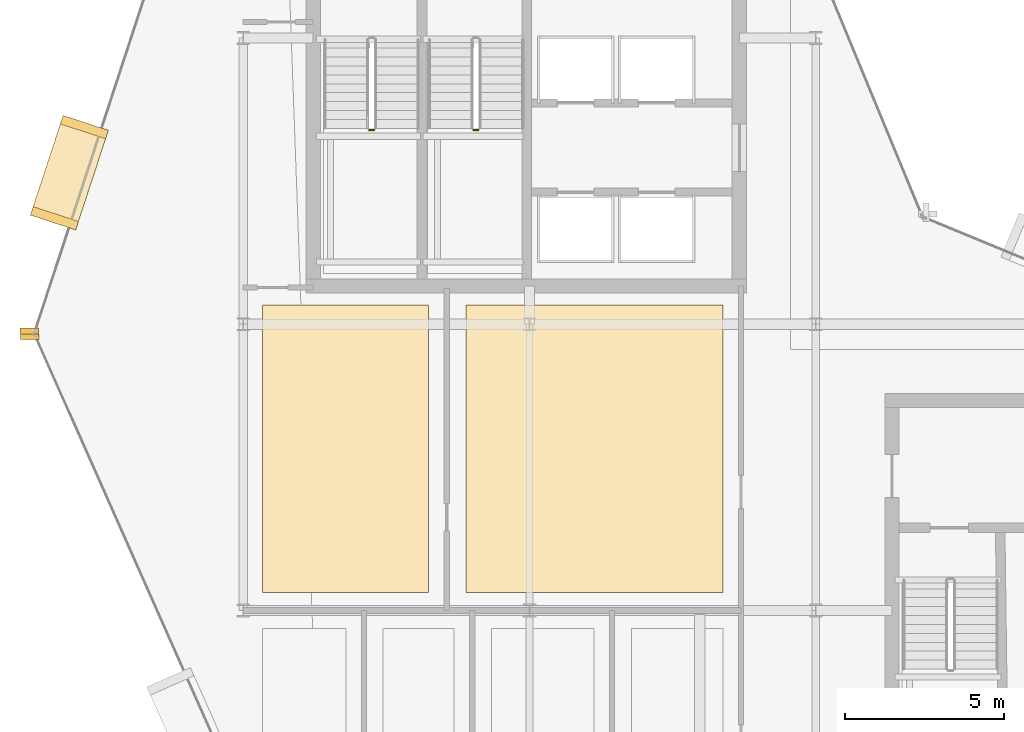
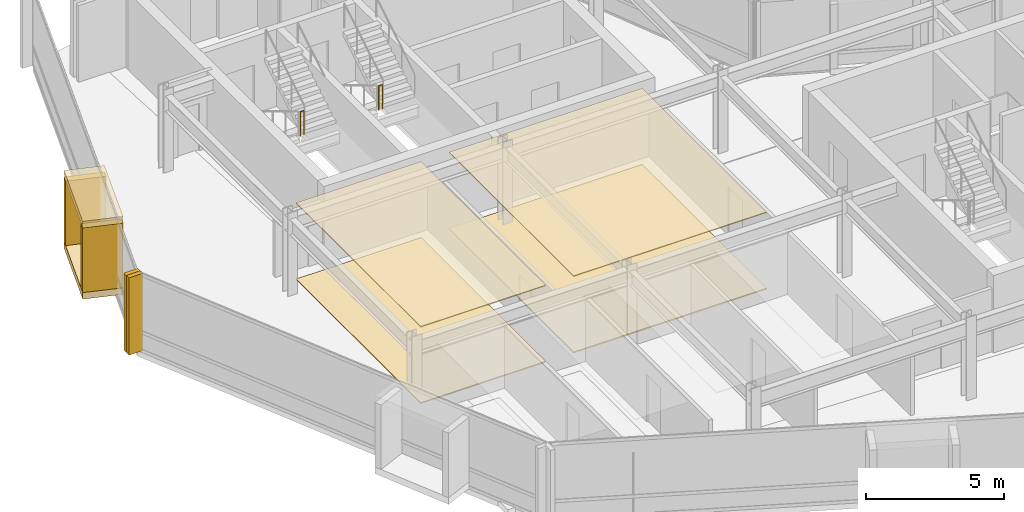
# One storey, part 23 of 27: 10 coverings, 2 railings.
"""IFC4 building model written with IfcOpenShell, lengths in metres."""

from ifc_helpers import new_model, si_unit, direction, frame, origin, origin_2d, place, context, subcontext, project, spatial, polyline, rectangle, circle, outline, extrude, material, layer, layer_set, type_object, element, save


model = new_model("IFC4")

# Units and contexts
model_context = context("Model", 3, precision=1e-05, world=origin(), true_north=direction((0.0, 1.0)))
body_context = subcontext(model_context, "Body", "Model", "MODEL_VIEW")
ifc_project = project(units=[si_unit("LENGTHUNIT", "METRE"), si_unit("AREAUNIT", "SQUARE_METRE"), si_unit("VOLUMEUNIT", "CUBIC_METRE"), si_unit("PLANEANGLEUNIT", "RADIAN"), si_unit("MASSUNIT", "GRAM", prefix="KILO")], contexts=[model_context])

# Site, building, storey
site_placement = place(None, origin())
site = spatial("IfcSite", under=ifc_project, at=site_placement, CompositionType="ELEMENT")
building_placement = place(site_placement, origin())
building = spatial("IfcBuilding", under=site, at=building_placement, Name="Solvaryn Broadcast Tower", CompositionType="ELEMENT")
storey_placement = place(building_placement, frame((0.0, 0.0, 228.39990234375)))
storey = spatial("IfcBuildingStorey", under=building, at=storey_placement, Name="L57", CompositionType="ELEMENT", Elevation=228.39990234375)

# Coverings
ifc_material_1 = material(Name="Micro-Perforated Acoustic Gypsum Ceiling", Category="concrete")
ifc_layer_1 = layer(ifc_material_1, 0.0400390625)
ifc_layer_set_1 = layer_set([ifc_layer_1], Name="CV-CEIL-ACOUSTIC")
covering_type_1 = type_object("IfcCoveringType", Name="CV-CEIL-ACOUSTIC", PredefinedType="CEILING", material=ifc_layer_set_1)
covering_1_placement = place(storey_placement, frame((0.0, 0.0, 3.380126953125)))
element("IfcCovering", 1, at=covering_1_placement, inside=storey, type_object=covering_type_1, Name="L57 Room Acoustic Ceiling 1", PredefinedType="CEILING", context=body_context, shape_type="SweptSolid", body=[
    extrude(outline(polyline([(9.60009765625, 18.570068359375), (14.830078125, 18.570068359375), (14.830078125, 27.60009765625), (9.60009765625, 27.60009765625), (9.60009765625, 18.570068359375)])), origin(), (0.0, 0.0, 1.0), 0.0400390625),
])
covering_2_placement = place(storey_placement, frame((0.0, 0.0, 3.380126953125)))
element("IfcCovering", 2, at=covering_2_placement, inside=storey, type_object=covering_type_1, Name="L57 Room Acoustic Ceiling 2", PredefinedType="CEILING", context=body_context, shape_type="SweptSolid", body=[
    extrude(outline(polyline([(16.0, 18.570068359375), (24.080078125, 18.570068359375), (24.080078125, 27.60009765625), (16.0, 27.60009765625), (16.0, 18.570068359375)])), origin(), (0.0, 0.0, 1.0), 0.0400390625),
])
ifc_material_2 = material(Name="Newsroom Raised Data Access Flooring", Category="steel")
ifc_layer_2 = layer(ifc_material_2, 0.050048828125)
ifc_layer_set_2 = layer_set([ifc_layer_2], Name="CV-FLOOR-RAISED")
covering_type_2 = type_object("IfcCoveringType", Name="CV-FLOOR-RAISED", PredefinedType="FLOORING", material=ifc_layer_set_2)
covering_3_placement = place(storey_placement, origin())
element("IfcCovering", 3, at=covering_3_placement, inside=storey, type_object=covering_type_2, Name="L57 Room Acoustic Floor Finish 1", PredefinedType="FLOORING", context=body_context, shape_type="SweptSolid", body=[
    extrude(outline(polyline([(9.60009765625, 18.570068359375), (14.830078125, 18.570068359375), (14.830078125, 27.60009765625), (9.60009765625, 27.60009765625), (9.60009765625, 18.570068359375)])), origin(), (0.0, 0.0, 1.0), 0.050048828125),
])
covering_4_placement = place(storey_placement, origin())
element("IfcCovering", 4, at=covering_4_placement, inside=storey, type_object=covering_type_2, Name="L57 Room Acoustic Floor Finish 2", PredefinedType="FLOORING", context=body_context, shape_type="SweptSolid", body=[
    extrude(outline(polyline([(16.0, 18.570068359375), (24.080078125, 18.570068359375), (24.080078125, 27.60009765625), (16.0, 27.60009765625), (16.0, 18.570068359375)])), origin(), (0.0, 0.0, 1.0), 0.050048828125),
])
ifc_material_3 = material(Name="Glazed Architectural Terracotta Rainscreen Cladding", Category="masonry")
ifc_layer_3 = layer(ifc_material_3, 0.280029296875)
ifc_layer_set_3 = layer_set([ifc_layer_3], Name="CV-TC-CLAD")
covering_type_3 = type_object("IfcCoveringType", Name="CV-TC-CLAD", PredefinedType="CLADDING", material=ifc_layer_set_3)
for number, where, z_axis, x_axis, name in (
    (5, (3.533935546875, 31.763916015625, 3.1298828125), (0.0, 0.0, 1.0), (-0.311505792684, -0.950244253402, 0.0), "L57 Projecting Stone Window Box Hood 1"),
    (6, (3.533935546875, 31.763916015625, -0.009765625), (0.0, 0.0, 1.0), (-0.311505792684, -0.950244253402, 0.0), "L57 Projecting Stone Window Box Sill 1"),
):
    element("IfcCovering", number, at=place(storey_placement, frame(where, z_axis=z_axis, x_axis=x_axis)), inside=storey, type_object=covering_type_3, Name=name, PredefinedType="CLADDING", context=body_context, shape_type="SweptSolid", body=[
        extrude(rectangle(XDim=3.300048828125, YDim=1.5, at=origin_2d()), origin(), (0.0, 0.0, 1.0), 0.300048828125),
    ])
for number, where, z_axis, x_axis, name in (
    (7, (4.00439453125, 33.198974609375, 0.2802734375), (0.0, 0.0, 1.0), (-0.311505792684, -0.950244253402, 0.0), "L57 Projecting Stone Window Box Cheek 1-1"),
    (8, (3.063720703125, 30.3291015625, 0.2802734375), (0.0, 0.0, 1.0), (-0.311505792684, -0.950244253402, 0.0), "L57 Projecting Stone Window Box Cheek 1-2"),
):
    element("IfcCovering", number, at=place(storey_placement, frame(where, z_axis=z_axis, x_axis=x_axis)), inside=storey, type_object=covering_type_3, Name=name, PredefinedType="CLADDING", context=body_context, shape_type="SweptSolid", body=[
        extrude(rectangle(XDim=0.280029296875, YDim=1.5, at=origin_2d()), origin(), (0.0, 0.0, 1.0), 2.860107421875),
    ])
ifc_material_4 = material(Name="Extruded Architectural Terracotta Fin", Category="masonry")
ifc_layer_4 = layer(ifc_material_4, 0.179931640625)
ifc_layer_set_4 = layer_set([ifc_layer_4], Name="CV-TC-FIN")
covering_type_4 = type_object("IfcCoveringType", Name="CV-TC-FIN", PredefinedType="USERDEFINED", material=ifc_layer_set_4)
for number, where, z_axis, x_axis, name in (
    (9, (2.271240234375, 26.790771484375, 0.000244140625), (0.0, 0.0, 1.0), (1.0, 0.0, 0.0), "L57 Terracotta Vertical Fin FIN-L57-DR1-M01"),
    (10, (2.281005859375, 26.605712890625, 0.000244140625), (0.0, 0.0, 1.0), (1.0, 0.0, 0.0), "L57 Terracotta Vertical Fin FIN-L57-DR2-M00"),
):
    element("IfcCovering", number, at=place(storey_placement, frame(where, z_axis=z_axis, x_axis=x_axis)), inside=storey, type_object=covering_type_4, Name=name, ObjectType="FIN", PredefinedType="USERDEFINED", context=body_context, shape_type="SweptSolid", body=[
        extrude(rectangle(XDim=0.580078125, YDim=0.179931640625, at=origin_2d()), origin(), (0.0, 0.0, 1.0), 3.419921875),
    ])

# Railings
ifc_material_5 = material(Name="Painted Steel Stair Well Guard", Category="steel")
railing_type = type_object("IfcRailingType", Name="RL-STAIR-GUARD", PredefinedType="BALUSTRADE", material=ifc_material_5)
railing_1_placement = place(storey_placement, frame((12.9599609375, 33.110107421875, 1.85009765625)))
element("IfcRailing", 11, at=railing_1_placement, inside=storey, type_object=railing_type, Name="L57 ST1 stair guard 2", PredefinedType="BALUSTRADE", context=body_context, shape_type="SweptSolid", body=[
    extrude(circle(Radius=0.02392578125, at=origin_2d()), frame((0.0, 0.0, 1.076171875), z_axis=(1.0, 0.0, 0.0), x_axis=(0.0, 1.0, 0.0)), (0.0, 0.0, 1.0), 0.150146484375),
    extrude(circle(Radius=0.02099609375, at=origin_2d()), origin(), (0.0, 0.0, 1.0), 1.052001953125),
    extrude(circle(Radius=0.02099609375, at=origin_2d()), frame((0.150146484375, 0.0, 0.0)), (0.0, 0.0, 1.0), 1.052001953125),
])
railing_2_placement = place(storey_placement, frame((16.239990234375, 33.110107421875, 1.85009765625)))
element("IfcRailing", 12, at=railing_2_placement, inside=storey, type_object=railing_type, Name="L57 ST2 stair guard 2", PredefinedType="BALUSTRADE", context=body_context, shape_type="SweptSolid", body=[
    extrude(circle(Radius=0.02392578125, at=origin_2d()), frame((0.0, 0.0, 1.076171875), z_axis=(1.0, 0.0, 0.0), x_axis=(0.0, 1.0, 0.0)), (0.0, 0.0, 1.0), 0.14990234375),
    extrude(circle(Radius=0.02099609375, at=origin_2d()), origin(), (0.0, 0.0, 1.0), 1.052001953125),
    extrude(circle(Radius=0.02099609375, at=origin_2d()), frame((0.14990234375, 0.0, 0.0)), (0.0, 0.0, 1.0), 1.052001953125),
])

save(model, "model.ifc")
